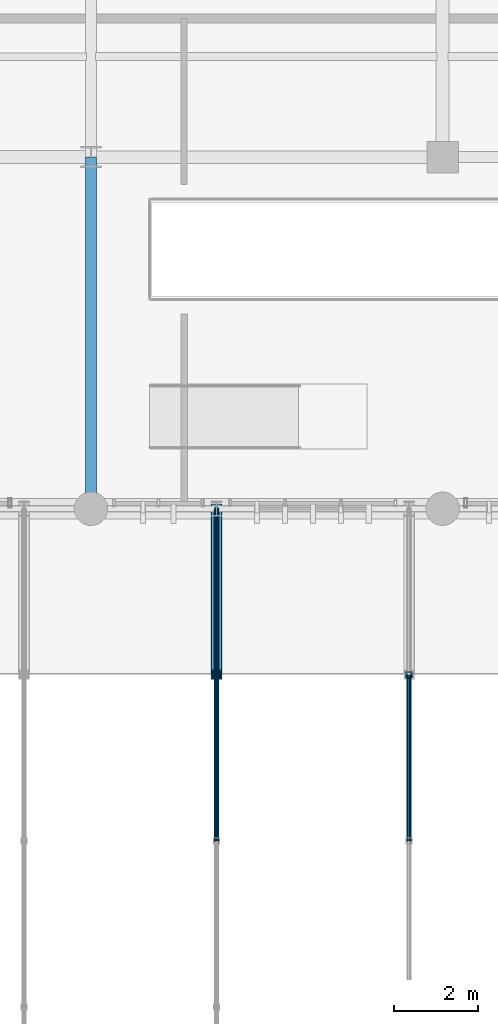
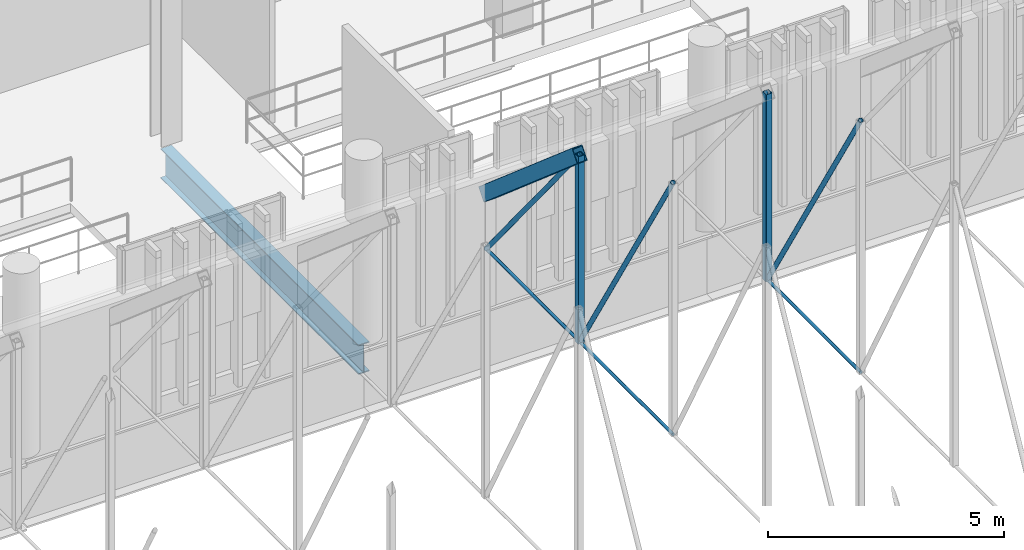
# One storey, part 17 of 109: 8 members, 2 beams.
"""IFC4 building model written with IfcOpenShell, lengths in metres."""

from ifc_helpers import new_model, si_unit, direction, frame, origin_with_axes, origin_2d_with_axis, place, context, subcontext, project, spatial, hollow_rectangle, circle, hollow_circle, i_section, extrude, material, material_profile, profile_set, type_object, element, save


model = new_model("IFC4")

# Units and contexts
model_context = context("Model", 3, precision=1e-05, world=origin_with_axes(), true_north=direction((0.0, 1.0)))
body_context = subcontext(model_context, "Body", "Model", "MODEL_VIEW")
ifc_project = project(units=[si_unit("LENGTHUNIT", "METRE"), si_unit("AREAUNIT", "SQUARE_METRE"), si_unit("VOLUMEUNIT", "CUBIC_METRE"), si_unit("PLANEANGLEUNIT", "RADIAN"), si_unit("MASSUNIT", "GRAM", prefix="KILO"), si_unit("THERMODYNAMICTEMPERATUREUNIT", "KELVIN")], contexts=[model_context])

# Site, building, storey
site_placement = place(None, origin_with_axes())
site = spatial("IfcSite", under=ifc_project, at=site_placement, CompositionType="ELEMENT")
building_placement = place(site_placement, origin_with_axes())
building = spatial("IfcBuilding", under=site, at=building_placement, Name="Montbau Bow Law Courts", CompositionType="ELEMENT")
storey_placement = place(building_placement, frame((0.0, 0.0, 10.8), z_axis=(0.0, 0.0, 1.0), x_axis=(1.0, 0.0, 0.0)))
storey = spatial("IfcBuildingStorey", under=building, at=storey_placement, Name="L02", CompositionType="ELEMENT", Elevation=10.8)

# Beams
ifc_material_1 = material(Name="Steel CSA G40.21 Grade 350WT (350 MPa)", Category="steel")
ifc_material_profile_1 = material_profile(ifc_material_1, hollow_rectangle(XDim=0.254, YDim=0.356, WallThickness=0.0127, InnerFilletRadius=0.0254, OuterFilletRadius=0.0127, at=origin_2d_with_axis()), Name="HSS356X254X13", Category="Main", Priority=0)
ifc_profile_set_1 = profile_set([ifc_material_profile_1], Name="Steel CSA G40.21 Grade 350WT (350 MPa)")
beam_type_1 = type_object("IfcBeamType", Name="B-ARC-01", PredefinedType="USERDEFINED", material=ifc_profile_set_1)
beam_1_placement = place(None, frame((25.2, 26.633, 16.836), z_axis=(0.0, 0.758621798, -0.651531249), x_axis=(-1.0, 0.0, 0.0)))
element("IfcBeam", 1, at=beam_1_placement, inside=storey, type_object=beam_type_1, Name="Barrel vault roof truss arch rib V1-030", ObjectType="ARCH_RIB", PredefinedType="USERDEFINED", context=body_context, shape_type="SweptSolid", body=[
    extrude(hollow_rectangle(XDim=0.254, YDim=0.356, WallThickness=0.0127, InnerFilletRadius=0.0254, OuterFilletRadius=0.0127, at=origin_2d_with_axis()), origin_with_axes(), (0.0, 0.0, 1.0), 5.22922),
])
ifc_material_2 = material(Name="Steel CSA G40.21 Grade 350W (350 MPa)", Category="steel")
ifc_material_profile_2 = material_profile(ifc_material_2, i_section(OverallWidth=0.267, OverallDepth=0.766, WebThickness=0.0149, FlangeThickness=0.0236, at=origin_2d_with_axis()), Name="W760X185", Category="Main", Priority=0)
ifc_profile_set_2 = profile_set([ifc_material_profile_2], Name="Steel CSA G40.21 Grade 350W (350 MPa)")
beam_type_2 = type_object("IfcBeamType", Name="B-FLR-03", PredefinedType="BEAM", material=ifc_profile_set_2)
beam_2_placement = place(None, frame((22.2, 30.6, 10.197), z_axis=(0.0, 1.0, 0.0), x_axis=(-1.0, 0.0, 0.0)))
element("IfcBeam", 2, at=beam_2_placement, inside=storey, type_object=beam_type_2, Name="BM-L02-S0571:bm2_0574", PredefinedType="BEAM", context=body_context, shape_type="SweptSolid", body=[
    extrude(i_section(OverallWidth=0.267, OverallDepth=0.766, WebThickness=0.0149, FlangeThickness=0.0236, at=origin_2d_with_axis()), origin_with_axes(), (0.0, 0.0, 1.0), 8.4),
])

# Members
ifc_material_profile_3 = material_profile(ifc_material_1, hollow_rectangle(XDim=0.152, YDim=0.152, WallThickness=0.0095, InnerFilletRadius=0.019, OuterFilletRadius=0.0095, at=origin_2d_with_axis()), Name="HSS152X152X9.5", Category="Main", Priority=0)
ifc_profile_set_3 = profile_set([ifc_material_profile_3], Name="Steel CSA G40.21 Grade 350WT (350 MPa)")
member_type_1 = type_object("IfcMemberType", Name="M-STR-02", PredefinedType="STRUT", material=ifc_profile_set_3)
for number, where, z_axis, x_axis, name in (
    (3, (25.2, 26.633, 11.979), (0.0, 0.0, 1.0), (1.0, 0.0, 0.0), "Barrel vault roof truss web post V1-05-5"),
    (4, (29.8, 26.633, 11.979), (0.0, 0.0, 1.0), (1.0, 0.0, 0.0), "Barrel vault roof truss web post V1-06-5"),
):
    element("IfcMember", number, at=place(None, frame(where, z_axis=z_axis, x_axis=x_axis)), inside=storey, type_object=member_type_1, Name=name, PredefinedType="STRUT", context=body_context, shape_type="SweptSolid", body=[
        extrude(hollow_rectangle(XDim=0.152, YDim=0.152, WallThickness=0.0095, InnerFilletRadius=0.019, OuterFilletRadius=0.0095, at=origin_2d_with_axis()), origin_with_axes(), (0.0, 0.0, 1.0), 4.857),
    ])
ifc_material_profile_4 = material_profile(ifc_material_1, hollow_circle(Radius=0.057, WallThickness=0.008, at=origin_2d_with_axis()), Name="HSS114X8.0", Category="Main", Priority=0)
ifc_profile_set_4 = profile_set([ifc_material_profile_4], Name="Steel CSA G40.21 Grade 350WT (350 MPa)")
member_type_2 = type_object("IfcMemberType", Name="M-STR-03", PredefinedType="STRUT", material=ifc_profile_set_4)
member_1_placement = place(None, frame((25.2, 22.667, 18.511), z_axis=(0.0, 0.518991793, -0.854779222), x_axis=(-1.0, 0.0, 0.0)))
element("IfcMember", 5, at=member_1_placement, inside=storey, type_object=member_type_2, Name="Barrel vault roof truss web diagonal V1-05-5", PredefinedType="STRUT", context=body_context, shape_type="SweptSolid", body=[
    extrude(hollow_circle(Radius=0.057, WallThickness=0.008, at=origin_2d_with_axis()), origin_with_axes(), (0.0, 0.0, 1.0), 7.641739),
])
member_2_placement = place(None, frame((25.2, 26.633, 16.836), z_axis=(0.0, 0.632577617, -0.774496971), x_axis=(-1.0, 0.0, 0.0)))
element("IfcMember", 6, at=member_2_placement, inside=storey, type_object=member_type_2, Name="Barrel vault roof truss web diagonal V1-05-6", PredefinedType="STRUT", context=body_context, shape_type="SweptSolid", body=[
    extrude(hollow_circle(Radius=0.057, WallThickness=0.008, at=origin_2d_with_axis()), origin_with_axes(), (0.0, 0.0, 1.0), 6.271167),
])
member_3_placement = place(None, frame((29.8, 22.667, 18.511), z_axis=(0.0, 0.518991793, -0.854779222), x_axis=(-1.0, 0.0, 0.0)))
element("IfcMember", 7, at=member_3_placement, inside=storey, type_object=member_type_2, Name="Barrel vault roof truss web diagonal V1-06-5", PredefinedType="STRUT", context=body_context, shape_type="SweptSolid", body=[
    extrude(hollow_circle(Radius=0.057, WallThickness=0.008, at=origin_2d_with_axis()), origin_with_axes(), (0.0, 0.0, 1.0), 7.641739),
])
ifc_material_profile_5 = material_profile(ifc_material_1, circle(Radius=0.038, at=origin_2d_with_axis()), Name="ROD76", Category="Main", Priority=0)
ifc_profile_set_5 = profile_set([ifc_material_profile_5], Name="Steel CSA G40.21 Grade 350WT (350 MPa)")
member_type_3 = type_object("IfcMemberType", Name="M-TIE-01", PredefinedType="USERDEFINED", material=ifc_profile_set_5)
member_4_placement = place(None, frame((25.2, 22.667, 11.979), z_axis=(0.0, 1.0, 0.0), x_axis=(-1.0, 0.0, 0.0)))
element("IfcMember", 8, at=member_4_placement, inside=storey, type_object=member_type_3, Name="Barrel vault roof truss tie V1-029", ObjectType="TIEBAR", PredefinedType="USERDEFINED", context=body_context, shape_type="SweptSolid", body=[
    extrude(circle(Radius=0.038, at=origin_2d_with_axis()), origin_with_axes(), (0.0, 0.0, 1.0), 3.966),
])
member_5_placement = place(None, frame((25.2, 26.633, 11.979), z_axis=(0.0, 1.0, 0.0), x_axis=(-1.0, 0.0, 0.0)))
element("IfcMember", 9, at=member_5_placement, inside=storey, type_object=member_type_3, Name="Barrel vault roof truss tie V1-030", ObjectType="TIEBAR", PredefinedType="USERDEFINED", context=body_context, shape_type="SweptSolid", body=[
    extrude(circle(Radius=0.038, at=origin_2d_with_axis()), origin_with_axes(), (0.0, 0.0, 1.0), 3.967),
])
member_6_placement = place(None, frame((29.8, 22.667, 11.979), z_axis=(0.0, 1.0, 0.0), x_axis=(-1.0, 0.0, 0.0)))
element("IfcMember", 10, at=member_6_placement, inside=storey, type_object=member_type_3, Name="Barrel vault roof truss tie V1-035", ObjectType="TIEBAR", PredefinedType="USERDEFINED", context=body_context, shape_type="SweptSolid", body=[
    extrude(circle(Radius=0.038, at=origin_2d_with_axis()), origin_with_axes(), (0.0, 0.0, 1.0), 3.966),
])

save(model, "model.ifc")
